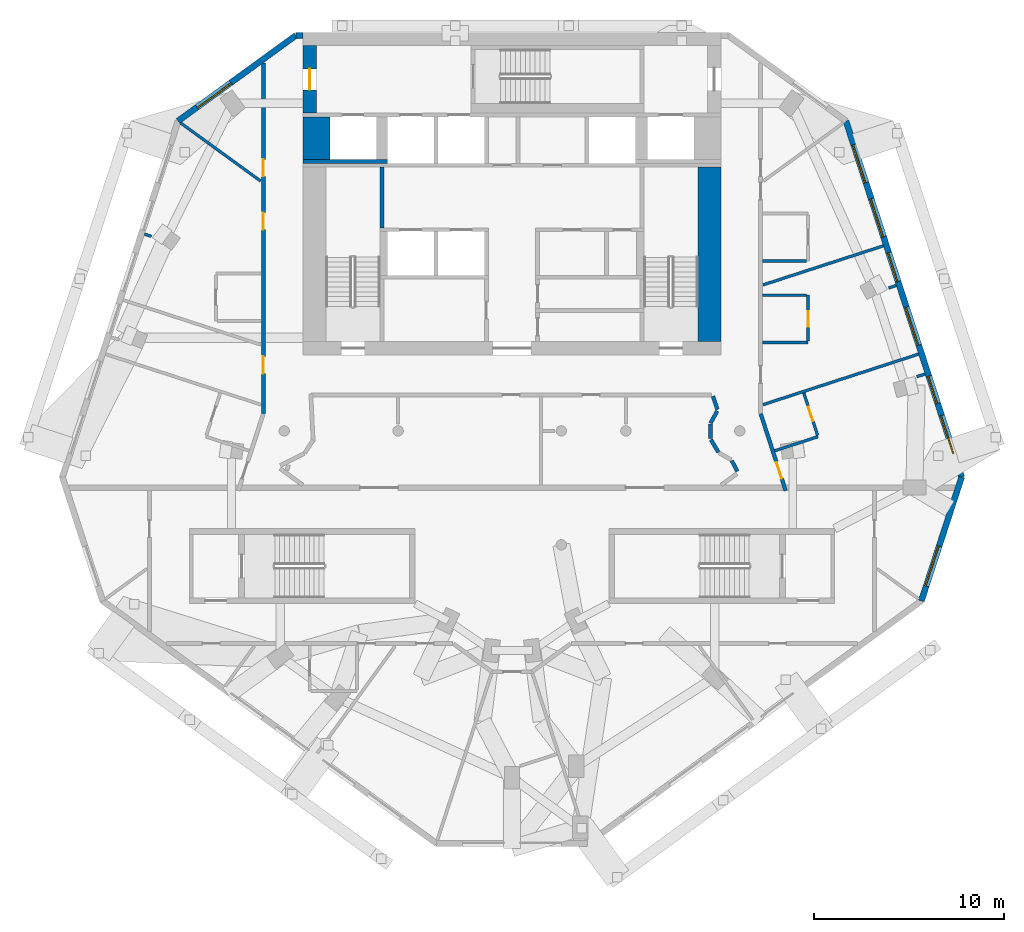
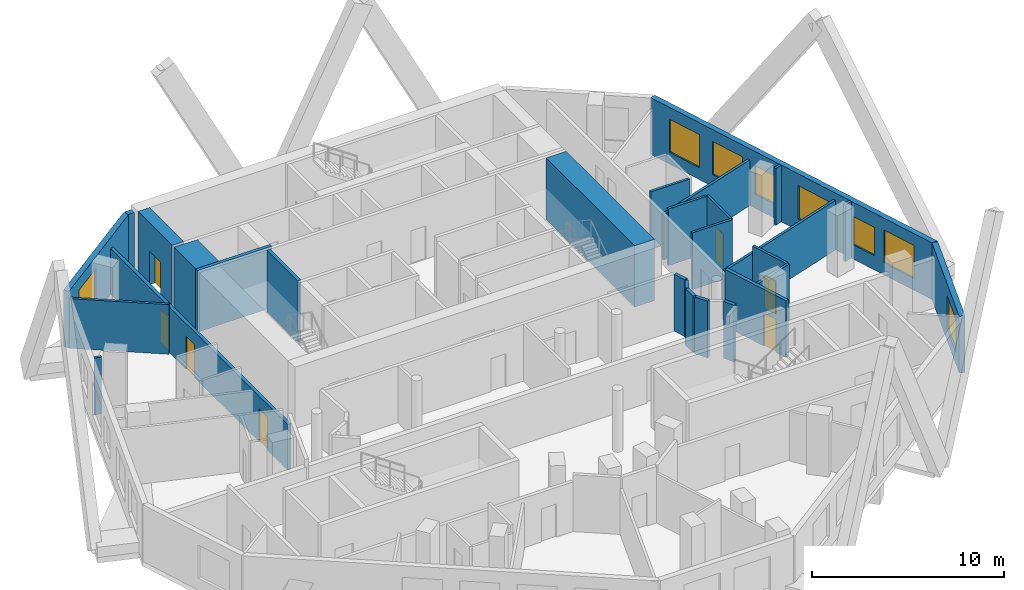
# One storey, part 6 of 10: 28 walls, 8 windows, 7 doors, 15 openings.
"""IFC4 building model written with IfcOpenShell, lengths in metres."""

from ifc_helpers import new_model, si_unit, direction, frame, frame_2d, origin, place, context, subcontext, project, spatial, rectangle, extrude, material, layer, layer_set, type_object, element, fill, save


model = new_model("IFC4")

# Units and contexts
model_context = context("Model", 3, precision=1e-05, world=origin(), true_north=direction((0.0, 1.0)))
body_context = subcontext(model_context, "Body", "Model", "MODEL_VIEW")
ifc_project = project(units=[si_unit("LENGTHUNIT", "METRE"), si_unit("AREAUNIT", "SQUARE_METRE"), si_unit("VOLUMEUNIT", "CUBIC_METRE"), si_unit("PLANEANGLEUNIT", "RADIAN"), si_unit("MASSUNIT", "GRAM", prefix="KILO")], contexts=[model_context])

# Site, building, storey
site_placement = place(None, origin())
site = spatial("IfcSite", under=ifc_project, at=site_placement, CompositionType="ELEMENT")
building_placement = place(site_placement, origin())
building = spatial("IfcBuilding", under=site, at=building_placement, Name="White Candle Pilgrim Tower", CompositionType="ELEMENT")
storey_placement = place(building_placement, frame((0.0, 0.0, 248.300048828125)))
storey = spatial("IfcBuildingStorey", under=building, at=storey_placement, Name="L58", CompositionType="ELEMENT", Elevation=248.300048828125)

# Walls
ifc_material_1 = material(Name="Concrete C50/60", Category="concrete")
ifc_layer_1 = layer(ifc_material_1, 1.39990234375)
ifc_layer_set_1 = layer_set([ifc_layer_1], Name="Core wall 1400 mm Concrete C50/60")
wall_type_1 = type_object("IfcWallType", Name="Core wall 1400 mm Concrete C50/60", PredefinedType="SHEAR", material=ifc_layer_set_1)
wall_1_placement = place(storey_placement, frame((59.699951171875, 81.300048828125, 0.0), z_axis=(0.0, 0.0, 1.0), x_axis=(0.0, 1.0, 0.0)))
element("IfcWall", 1, at=wall_1_placement, inside=storey, type_object=wall_type_1, Name="WL-L58-C40", PredefinedType="SHEAR", context=body_context, shape_type="SweptSolid", body=[
    extrude(rectangle(XDim=2.25, YDim=1.39990234375, at=frame_2d((1.125, 0.0))), origin(), (0.0, 0.0, 1.0), 3.89990234375),
])
ifc_layer_2 = layer(ifc_material_1, 0.199951171875)
ifc_layer_set_2 = layer_set([ifc_layer_2], Name="Core wall 200 mm Concrete C50/60")
wall_type_2 = type_object("IfcWallType", Name="Core wall 200 mm Concrete C50/60", PredefinedType="SHEAR", material=ifc_layer_set_2)
wall_2_placement = place(storey_placement, frame((59.0, 81.199951171875, 0.0), z_axis=(0.0, 0.0, 1.0), x_axis=(1.0, 0.0, 0.0)))
element("IfcWall", 2, at=wall_2_placement, inside=storey, type_object=wall_type_2, Name="WL-L58-C34", PredefinedType="SHEAR", context=body_context, shape_type="SweptSolid", body=[
    extrude(rectangle(XDim=4.449951171875, YDim=0.199951171875, at=frame_2d((2.22509765625, 0.0))), origin(), (0.0, 0.0, 1.0), 3.89990234375),
])

# Wall, opening, door
ifc_layer_3 = layer(ifc_material_1, 0.699951171875)
ifc_layer_set_3 = layer_set([ifc_layer_3], Name="Core wall 700 mm Concrete C50/60")
wall_type_3 = type_object("IfcWallType", Name="Core wall 700 mm Concrete C50/60", PredefinedType="SHEAR", material=ifc_layer_set_3)
wall_3_placement = place(storey_placement, frame((59.35009765625, 83.75, 0.0), z_axis=(0.0, 0.0, 1.0), x_axis=(0.0, 1.0, 0.0)))
wall_3 = element("IfcWall", 3, at=wall_3_placement, inside=storey, type_object=wall_type_3, Name="WL-L58-C45", PredefinedType="SHEAR", context=body_context, shape_type="SweptSolid", body=[
    extrude(rectangle(XDim=3.550048828125, YDim=0.699951171875, at=frame_2d((1.77490234375, 0.0))), origin(), (0.0, 0.0, 1.0), 3.89990234375),
])
opening_1_placement = place(wall_3_placement, frame((1.22509765625, 0.0, 0.0)))
opening_1 = element("IfcOpeningElement", 4, at=opening_1_placement, cuts=wall_3, Name="Opening T18-008", PredefinedType="OPENING", context=body_context, shape_type="SweptSolid", body=[
    extrude(rectangle(XDim=1.10009765625, YDim=2.10009765625, at=frame_2d((0.550048828125, 1.050048828125))), frame((0.0, 0.35986328125, 0.0), z_axis=(0.0, -1.0, 0.0), x_axis=(1.0, 0.0, 0.0)), (0.0, 0.0, 1.0), 0.719970703125),
])
ifc_material_2 = material(Name="Steel door leaf", Category="steel")
door_type_1 = type_object("IfcDoorType", Name="Fire door 1100 x 2100 EI 60", OperationType="NOTDEFINED", PredefinedType="DOOR", material=ifc_material_2)
door_1_placement = place(opening_1_placement, origin())
door_1 = element("IfcDoor", 5, at=door_1_placement, inside=storey, type_object=door_type_1, Name="Door T18-008", OperationType="SINGLE_SWING_RIGHT", OverallHeight=2.10009765625, OverallWidth=1.10009765625, PredefinedType="DOOR", context=body_context, shape_type="SweptSolid", body=[
    extrude(rectangle(XDim=1.10009765625, YDim=2.10009765625, at=frame_2d((0.550048828125, 1.050048828125))), frame((0.0, 0.02490234375, 0.0), z_axis=(0.0, -1.0, 0.0), x_axis=(1.0, 0.0, 0.0)), (0.0, 0.0, 1.0), 0.050048828125),
])
fill(opening_1, door_1)

# Wall, openings, doors
ifc_material_3 = material(Name="Gypsum board on steel studs", Category="steel")
ifc_layer_4 = layer(ifc_material_3, 0.199951171875)
ifc_layer_set_4 = layer_set([ifc_layer_4], Name="Corridor wall 200 mm EI 45")
wall_type_4 = type_object("IfcWallType", Name="Corridor wall 200 mm EI 45", PredefinedType="PARTITIONING", material=ifc_layer_set_4)
wall_4_placement = place(storey_placement, frame((56.89990234375, 67.928466796875, 0.0), z_axis=(0.0, 0.0, 1.0), x_axis=(0.0, 1.0, 0.0)))
wall_4 = element("IfcWall", 6, at=wall_4_placement, inside=storey, type_object=wall_type_4, Name="WL-L58-P003", PredefinedType="PARTITIONING", context=body_context, shape_type="SweptSolid", body=[
    extrude(rectangle(XDim=18.4677734375, YDim=0.199951171875, at=frame_2d((9.23388671875, 0.0))), origin(), (0.0, 0.0, 1.0), 2.89990234375),
])
opening_2_placement = place(wall_4_placement, frame((2.0947265625, 0.0, 0.0)))
opening_2 = element("IfcOpeningElement", 7, at=opening_2_placement, cuts=wall_4, Name="Opening T18-118", PredefinedType="OPENING", context=body_context, shape_type="SweptSolid", body=[
    extrude(rectangle(XDim=0.89990234375, YDim=2.10009765625, at=frame_2d((0.449951171875, 1.050048828125))), frame((0.0, 0.10986328125, 0.0), z_axis=(0.0, -1.0, 0.0), x_axis=(1.0, 0.0, 0.0)), (0.0, 0.0, 1.0), 0.219970703125),
])
opening_3_placement = place(wall_4_placement, frame((9.6767578125, 0.0, 0.0)))
opening_3 = element("IfcOpeningElement", 8, at=opening_3_placement, cuts=wall_4, Name="Opening T18-119", PredefinedType="OPENING", context=body_context, shape_type="SweptSolid", body=[
    extrude(rectangle(XDim=0.89990234375, YDim=2.10009765625, at=frame_2d((0.449951171875, 1.050048828125))), frame((0.0, 0.10986328125, 0.0), z_axis=(0.0, -1.0, 0.0), x_axis=(1.0, 0.0, 0.0)), (0.0, 0.0, 1.0), 0.219970703125),
])
opening_4_placement = place(wall_4_placement, frame((12.4775390625, 0.0, 0.0)))
opening_4 = element("IfcOpeningElement", 9, at=opening_4_placement, cuts=wall_4, Name="Opening T18-120", PredefinedType="OPENING", context=body_context, shape_type="SweptSolid", body=[
    extrude(rectangle(XDim=0.89990234375, YDim=2.10009765625, at=frame_2d((0.449951171875, 1.050048828125))), frame((0.0, 0.10986328125, 0.0), z_axis=(0.0, -1.0, 0.0), x_axis=(1.0, 0.0, 0.0)), (0.0, 0.0, 1.0), 0.219970703125),
])
door_type_2 = type_object("IfcDoorType", Name="Fire door 900 x 2100 EI 30", OperationType="NOTDEFINED", PredefinedType="DOOR", material=ifc_material_2)
door_2_placement = place(opening_2_placement, origin())
door_2 = element("IfcDoor", 10, at=door_2_placement, inside=storey, type_object=door_type_2, Name="Door T18-118", OperationType="SINGLE_SWING_RIGHT", OverallHeight=2.10009765625, OverallWidth=0.89990234375, PredefinedType="DOOR", context=body_context, shape_type="SweptSolid", body=[
    extrude(rectangle(XDim=0.89990234375, YDim=2.10009765625, at=frame_2d((0.449951171875, 1.050048828125))), frame((0.0, 0.02490234375, 0.0), z_axis=(0.0, -1.0, 0.0), x_axis=(1.0, 0.0, 0.0)), (0.0, 0.0, 1.0), 0.050048828125),
])
fill(opening_2, door_2)
door_3_placement = place(opening_3_placement, origin())
door_3 = element("IfcDoor", 11, at=door_3_placement, inside=storey, type_object=door_type_2, Name="Door T18-119", OperationType="SINGLE_SWING_LEFT", OverallHeight=2.10009765625, OverallWidth=0.89990234375, PredefinedType="DOOR", context=body_context, shape_type="SweptSolid", body=[
    extrude(rectangle(XDim=0.89990234375, YDim=2.10009765625, at=frame_2d((0.449951171875, 1.050048828125))), frame((0.0, 0.02490234375, 0.0), z_axis=(0.0, -1.0, 0.0), x_axis=(1.0, 0.0, 0.0)), (0.0, 0.0, 1.0), 0.050048828125),
])
fill(opening_3, door_3)
door_4_placement = place(opening_4_placement, origin())
door_4 = element("IfcDoor", 12, at=door_4_placement, inside=storey, type_object=door_type_2, Name="Door T18-120", OperationType="SINGLE_SWING_RIGHT", OverallHeight=2.10009765625, OverallWidth=0.89990234375, PredefinedType="DOOR", context=body_context, shape_type="SweptSolid", body=[
    extrude(rectangle(XDim=0.89990234375, YDim=2.10009765625, at=frame_2d((0.449951171875, 1.050048828125))), frame((0.0, 0.02490234375, 0.0), z_axis=(0.0, -1.0, 0.0), x_axis=(1.0, 0.0, 0.0)), (0.0, 0.0, 1.0), 0.050048828125),
])
fill(opening_4, door_4)

# Wall, opening, door
wall_5_placement = place(storey_placement, frame((83.10498046875, 67.8974609375, 0.0), z_axis=(0.0, 0.0, 1.0), x_axis=(0.308990077211, -0.951065261791, 0.0)))
wall_5 = element("IfcWall", 13, at=wall_5_placement, inside=storey, type_object=wall_type_4, Name="WL-L58-P005", PredefinedType="PARTITIONING", context=body_context, shape_type="SweptSolid", body=[
    extrude(rectangle(XDim=4.255615234375, YDim=0.199951171875, at=frame_2d((2.1279296875, 0.0))), origin(), (0.0, 0.0, 1.0), 3.599853515625),
])
opening_5_placement = place(wall_5_placement, frame((2.675537109375, 0.0, 0.0)))
opening_5 = element("IfcOpeningElement", 14, at=opening_5_placement, cuts=wall_5, Name="Opening T18-124", PredefinedType="OPENING", context=body_context, shape_type="SweptSolid", body=[
    extrude(rectangle(XDim=0.89990234375, YDim=2.10009765625, at=frame_2d((0.449951171875, 1.050048828125))), frame((0.0, 0.10986328125, 0.0), z_axis=(0.0, -1.0, 0.0), x_axis=(1.0, 0.0, 0.0)), (0.0, 0.0, 1.0), 0.219970703125),
])
door_5_placement = place(opening_5_placement, origin())
door_5 = element("IfcDoor", 15, at=door_5_placement, inside=storey, type_object=door_type_2, Name="Door T18-124", OperationType="SINGLE_SWING_RIGHT", OverallHeight=2.10009765625, OverallWidth=0.89990234375, PredefinedType="DOOR", context=body_context, shape_type="SweptSolid", body=[
    extrude(rectangle(XDim=0.89990234375, YDim=2.10009765625, at=frame_2d((0.449951171875, 1.050048828125))), frame((0.0, 0.02490234375, 0.0), z_axis=(0.0, -1.0, 0.0), x_axis=(1.0, 0.0, 0.0)), (0.0, 0.0, 1.0), 0.050048828125),
])
fill(opening_5, door_5)

# Walls
wall_6_placement = place(storey_placement, frame((80.875, 65.87841796875, 0.0), z_axis=(0.0, 0.0, 1.0), x_axis=(-0.512310997374, 0.858800001147, 0.0)))
element("IfcWall", 16, at=wall_6_placement, inside=storey, type_object=wall_type_4, Name="WL-L58-P014", PredefinedType="PARTITIONING", context=body_context, shape_type="SweptSolid", body=[
    extrude(rectangle(XDim=0.77294921875, YDim=0.199951171875, at=frame_2d((0.386474609375, 0.0))), origin(), (0.0, 0.0, 1.0), 3.599853515625),
])
wall_7_placement = place(storey_placement, frame((80.46484375, 66.592041015625, 0.0), z_axis=(0.0, 0.0, 1.0), x_axis=(-0.014221064918, 0.999898875543, 0.0)))
element("IfcWall", 17, at=wall_7_placement, inside=storey, type_object=wall_type_4, Name="WL-L58-P015", PredefinedType="PARTITIONING", context=body_context, shape_type="SweptSolid", body=[
    extrude(rectangle(XDim=0.7724609375, YDim=0.199951171875, at=frame_2d((0.38623046875, 0.0))), origin(), (0.0, 0.0, 1.0), 3.599853515625),
])
wall_8_placement = place(storey_placement, frame((80.466064453125, 67.413818359375, 0.0), z_axis=(0.0, 0.0, 1.0), x_axis=(0.479205511967, 0.877702727181, 0.0)))
element("IfcWall", 18, at=wall_8_placement, inside=storey, type_object=wall_type_4, Name="WL-L58-P016", PredefinedType="PARTITIONING", context=body_context, shape_type="SweptSolid", body=[
    extrude(rectangle(XDim=0.72607421875, YDim=0.199951171875, at=frame_2d((0.363037109375, 0.0))), origin(), (0.0, 0.0, 1.0), 3.599853515625),
])
wall_9_placement = place(storey_placement, frame((80.8212890625, 68.1298828125, 0.0), z_axis=(0.0, 0.0, 1.0), x_axis=(-0.309063601395, 0.951041371494, 0.0)))
element("IfcWall", 19, at=wall_9_placement, inside=storey, type_object=wall_type_4, Name="WL-L58-P017", PredefinedType="PARTITIONING", context=body_context, shape_type="SweptSolid", body=[
    extrude(rectangle(XDim=0.737060546875, YDim=0.199951171875, at=frame_2d((0.36865234375, 0.0))), origin(), (0.0, 0.0, 1.0), 3.599853515625),
])
wall_10_placement = place(storey_placement, frame((81.868408203125, 64.865234375, 0.0), z_axis=(0.0, 0.0, 1.0), x_axis=(-0.451009131745, 0.892519334851, 0.0)))
element("IfcWall", 20, at=wall_10_placement, inside=storey, type_object=wall_type_4, Name="WL-L58-P024", PredefinedType="PARTITIONING", context=body_context, shape_type="SweptSolid", body=[
    extrude(rectangle(XDim=0.642578125, YDim=0.199951171875, at=frame_2d((0.3212890625, 0.0))), origin(), (0.0, 0.0, 1.0), 3.599853515625),
])

# Wall, opening, window
ifc_material_4 = material(Name="Precast concrete C40/50", Category="concrete")
ifc_layer_5 = layer(ifc_material_4, 0.320068359375)
ifc_layer_set_5 = layer_set([ifc_layer_5], Name="Facade wall EW1 precast concrete C40/50 pier wall with timber-lined reveals")
wall_type_5 = type_object("IfcWallType", Name="Facade wall EW1 precast concrete C40/50 pier wall with timber-lined reveals", PredefinedType="SOLIDWALL", material=ifc_layer_set_5)
wall_11_placement = place(storey_placement, frame((91.5703125, 58.040283203125, 0.0), z_axis=(0.0, 0.0, 1.0), x_axis=(0.309016913419, 0.951056542599, 0.0)))
wall_11 = element("IfcWall", 21, at=wall_11_placement, inside=storey, type_object=wall_type_5, Name="Facade wall L58 E chamfer", PredefinedType="SOLIDWALL", context=body_context, shape_type="SweptSolid", body=[
    extrude(rectangle(XDim=6.86474609375, YDim=0.320068359375, at=frame_2d((3.432373046875, 0.0))), origin(), (0.0, 0.0, 1.0), 3.599853515625),
])
opening_6_placement = place(wall_11_placement, frame((0.83251953125, 0.0, 0.75)))
opening_6 = element("IfcOpeningElement", 22, at=opening_6_placement, cuts=wall_11, Name="Opening W4", PredefinedType="OPENING", context=body_context, shape_type="SweptSolid", body=[
    extrude(rectangle(XDim=2.199951171875, YDim=2.10009765625, at=frame_2d((1.10009765625, 1.050048828125))), frame((0.0, 0.169921875, 0.0), z_axis=(0.0, -1.0, 0.0), x_axis=(1.0, 0.0, 0.0)), (0.0, 0.0, 1.0), 0.340087890625),
])
ifc_material_5 = material(Name="Timber frame with triple glazing", Category="wood")
window_type_1 = type_object("IfcWindowType", Name="Window W4 2200x2100 timber frame triple glazing", PartitioningType="SINGLE_PANEL", PredefinedType="WINDOW", material=ifc_material_5)
window_1_placement = place(opening_6_placement, origin())
window_1 = element("IfcWindow", 23, at=window_1_placement, inside=storey, type_object=window_type_1, Name="Window W4 L58 E chamfer 1", OverallHeight=2.10009765625, OverallWidth=2.199951171875, PartitioningType="SINGLE_PANEL", PredefinedType="WINDOW", context=body_context, shape_type="SweptSolid", body=[
    extrude(rectangle(XDim=2.199951171875, YDim=2.10009765625, at=frame_2d((1.10009765625, 1.050048828125))), frame((0.0, 0.070068359375, 0.0), z_axis=(0.0, -1.0, 0.0), x_axis=(1.0, 0.0, 0.0)), (0.0, 0.0, 1.0), 0.06005859375),
])
fill(opening_6, window_1)

# Wall, openings, windows
wall_12_placement = place(storey_placement, frame((93.691650390625, 64.569091796875, 0.0), z_axis=(0.0, 0.0, 1.0), x_axis=(-0.309025614403, 0.951053715435, 0.0)))
wall_12 = element("IfcWall", 24, at=wall_12_placement, inside=storey, type_object=wall_type_5, Name="Facade wall L58 ENE", PredefinedType="SOLIDWALL", context=body_context, shape_type="SweptSolid", body=[
    extrude(rectangle(XDim=19.72314453125, YDim=0.320068359375, at=frame_2d((9.861572265625, 0.0))), origin(), (0.0, 0.0, 1.0), 3.599853515625),
])
opening_7_placement = place(wall_12_placement, frame((1.3115234375, 0.0, 0.75)))
opening_7 = element("IfcOpeningElement", 25, at=opening_7_placement, cuts=wall_12, Name="Opening W3", PredefinedType="OPENING", context=body_context, shape_type="SweptSolid", body=[
    extrude(rectangle(XDim=2.10009765625, YDim=2.10009765625, at=frame_2d((1.050048828125, 1.050048828125))), frame((0.0, 0.169921875, 0.0), z_axis=(0.0, -1.0, 0.0), x_axis=(1.0, 0.0, 0.0)), (0.0, 0.0, 1.0), 0.340087890625),
])
opening_8_placement = place(wall_12_placement, frame((4.08349609375, 0.0, 0.89990234375)))
opening_8 = element("IfcOpeningElement", 26, at=opening_8_placement, cuts=wall_12, Name="Opening W1", PredefinedType="OPENING", context=body_context, shape_type="SweptSolid", body=[
    extrude(rectangle(XDim=1.5, YDim=1.800048828125, at=frame_2d((0.75, 0.89990234375))), frame((0.0, 0.169921875, 0.0), z_axis=(0.0, -1.0, 0.0), x_axis=(1.0, 0.0, 0.0)), (0.0, 0.0, 1.0), 0.340087890625),
])
opening_9_placement = place(wall_12_placement, frame((7.3115234375, 0.0, 0.75)))
opening_9 = element("IfcOpeningElement", 27, at=opening_9_placement, cuts=wall_12, Name="Opening W3", PredefinedType="OPENING", context=body_context, shape_type="SweptSolid", body=[
    extrude(rectangle(XDim=2.10009765625, YDim=2.10009765625, at=frame_2d((1.050048828125, 1.050048828125))), frame((0.0, 0.169921875, 0.0), z_axis=(0.0, -1.0, 0.0), x_axis=(1.0, 0.0, 0.0)), (0.0, 0.0, 1.0), 0.340087890625),
])
opening_10_placement = place(wall_12_placement, frame((10.835693359375, 0.0, 0.89990234375)))
opening_10 = element("IfcOpeningElement", 28, at=opening_10_placement, cuts=wall_12, Name="Opening W2", PredefinedType="OPENING", context=body_context, shape_type="SweptSolid", body=[
    extrude(rectangle(XDim=1.60009765625, YDim=1.800048828125, at=frame_2d((0.800048828125, 0.89990234375))), frame((0.0, 0.169921875, 0.0), z_axis=(0.0, -1.0, 0.0), x_axis=(1.0, 0.0, 0.0)), (0.0, 0.0, 1.0), 0.340087890625),
])
opening_11_placement = place(wall_12_placement, frame((13.3115234375, 0.0, 0.75)))
opening_11 = element("IfcOpeningElement", 29, at=opening_11_placement, cuts=wall_12, Name="Opening W3", PredefinedType="OPENING", context=body_context, shape_type="SweptSolid", body=[
    extrude(rectangle(XDim=2.10009765625, YDim=2.10009765625, at=frame_2d((1.050048828125, 1.050048828125))), frame((0.0, 0.169921875, 0.0), z_axis=(0.0, -1.0, 0.0), x_axis=(1.0, 0.0, 0.0)), (0.0, 0.0, 1.0), 0.340087890625),
])
opening_12_placement = place(wall_12_placement, frame((16.3115234375, 0.0, 0.75)))
opening_12 = element("IfcOpeningElement", 30, at=opening_12_placement, cuts=wall_12, Name="Opening W3", PredefinedType="OPENING", context=body_context, shape_type="SweptSolid", body=[
    extrude(rectangle(XDim=2.10009765625, YDim=2.10009765625, at=frame_2d((1.050048828125, 1.050048828125))), frame((0.0, 0.169921875, 0.0), z_axis=(0.0, -1.0, 0.0), x_axis=(1.0, 0.0, 0.0)), (0.0, 0.0, 1.0), 0.340087890625),
])
window_type_2 = type_object("IfcWindowType", Name="Window W1 1500x1800 timber frame triple glazing", PartitioningType="SINGLE_PANEL", PredefinedType="WINDOW", material=ifc_material_5)
window_2_placement = place(opening_8_placement, origin())
window_2 = element("IfcWindow", 31, at=window_2_placement, inside=storey, type_object=window_type_2, Name="Window W1 L58 ENE 2", OverallHeight=1.800048828125, OverallWidth=1.5, PartitioningType="SINGLE_PANEL", PredefinedType="WINDOW", context=body_context, shape_type="SweptSolid", body=[
    extrude(rectangle(XDim=1.5, YDim=1.800048828125, at=frame_2d((0.75, 0.89990234375))), frame((0.0, 0.070068359375, 0.0), z_axis=(0.0, -1.0, 0.0), x_axis=(1.0, 0.0, 0.0)), (0.0, 0.0, 1.0), 0.06005859375),
])
fill(opening_8, window_2)
window_type_3 = type_object("IfcWindowType", Name="Window W2 1600x1800 timber frame triple glazing", PartitioningType="SINGLE_PANEL", PredefinedType="WINDOW", material=ifc_material_5)
window_3_placement = place(opening_10_placement, origin())
window_3 = element("IfcWindow", 32, at=window_3_placement, inside=storey, type_object=window_type_3, Name="Window W2 L58 ENE 4", OverallHeight=1.800048828125, OverallWidth=1.60009765625, PartitioningType="SINGLE_PANEL", PredefinedType="WINDOW", context=body_context, shape_type="SweptSolid", body=[
    extrude(rectangle(XDim=1.60009765625, YDim=1.800048828125, at=frame_2d((0.800048828125, 0.89990234375))), frame((0.0, 0.070068359375, 0.0), z_axis=(0.0, -1.0, 0.0), x_axis=(1.0, 0.0, 0.0)), (0.0, 0.0, 1.0), 0.06005859375),
])
fill(opening_10, window_3)
window_type_4 = type_object("IfcWindowType", Name="Window W3 2100x2100 timber frame triple glazing", PartitioningType="SINGLE_PANEL", PredefinedType="WINDOW", material=ifc_material_5)
window_4_placement = place(opening_7_placement, origin())
window_4 = element("IfcWindow", 33, at=window_4_placement, inside=storey, type_object=window_type_4, Name="Window W3 L58 ENE 1", OverallHeight=2.10009765625, OverallWidth=2.10009765625, PartitioningType="SINGLE_PANEL", PredefinedType="WINDOW", context=body_context, shape_type="SweptSolid", body=[
    extrude(rectangle(XDim=2.10009765625, YDim=2.10009765625, at=frame_2d((1.050048828125, 1.050048828125))), frame((0.0, 0.070068359375, 0.0), z_axis=(0.0, -1.0, 0.0), x_axis=(1.0, 0.0, 0.0)), (0.0, 0.0, 1.0), 0.06005859375),
])
fill(opening_7, window_4)
window_5_placement = place(opening_9_placement, origin())
window_5 = element("IfcWindow", 34, at=window_5_placement, inside=storey, type_object=window_type_4, Name="Window W3 L58 ENE 3", OverallHeight=2.10009765625, OverallWidth=2.10009765625, PartitioningType="SINGLE_PANEL", PredefinedType="WINDOW", context=body_context, shape_type="SweptSolid", body=[
    extrude(rectangle(XDim=2.10009765625, YDim=2.10009765625, at=frame_2d((1.050048828125, 1.050048828125))), frame((0.0, 0.070068359375, 0.0), z_axis=(0.0, -1.0, 0.0), x_axis=(1.0, 0.0, 0.0)), (0.0, 0.0, 1.0), 0.06005859375),
])
fill(opening_9, window_5)
window_6_placement = place(opening_11_placement, origin())
window_6 = element("IfcWindow", 35, at=window_6_placement, inside=storey, type_object=window_type_4, Name="Window W3 L58 ENE 5", OverallHeight=2.10009765625, OverallWidth=2.10009765625, PartitioningType="SINGLE_PANEL", PredefinedType="WINDOW", context=body_context, shape_type="SweptSolid", body=[
    extrude(rectangle(XDim=2.10009765625, YDim=2.10009765625, at=frame_2d((1.050048828125, 1.050048828125))), frame((0.0, 0.070068359375, 0.0), z_axis=(0.0, -1.0, 0.0), x_axis=(1.0, 0.0, 0.0)), (0.0, 0.0, 1.0), 0.06005859375),
])
fill(opening_11, window_6)
window_7_placement = place(opening_12_placement, origin())
window_7 = element("IfcWindow", 36, at=window_7_placement, inside=storey, type_object=window_type_4, Name="Window W3 L58 ENE 6", OverallHeight=2.10009765625, OverallWidth=2.10009765625, PartitioningType="SINGLE_PANEL", PredefinedType="WINDOW", context=body_context, shape_type="SweptSolid", body=[
    extrude(rectangle(XDim=2.10009765625, YDim=2.10009765625, at=frame_2d((1.050048828125, 1.050048828125))), frame((0.0, 0.070068359375, 0.0), z_axis=(0.0, -1.0, 0.0), x_axis=(1.0, 0.0, 0.0)), (0.0, 0.0, 1.0), 0.06005859375),
])
fill(opening_12, window_7)

# Wall
wall_13_placement = place(storey_placement, frame((59.0, 87.840087890625, 0.0), z_axis=(0.0, 0.0, 1.0), x_axis=(-1.0, 0.0, 0.0)))
element("IfcWall", 37, at=wall_13_placement, inside=storey, type_object=wall_type_5, Name="Facade wall L58 N", PredefinedType="SOLIDWALL", context=body_context, shape_type="SweptSolid", body=[
    extrude(rectangle(XDim=0.385009765625, YDim=0.320068359375, at=frame_2d((0.1923828125, 0.0))), origin(), (0.0, 0.0, 1.0), 3.599853515625),
])

# Wall, opening, window
wall_14_placement = place(storey_placement, frame((58.614990234375, 87.840087890625, 0.0), z_axis=(0.0, 0.0, 1.0), x_axis=(-0.809008247786, -0.587797290751, 0.0)))
wall_14 = element("IfcWall", 38, at=wall_14_placement, inside=storey, type_object=wall_type_5, Name="Facade wall L58 NW chamfer", PredefinedType="SOLIDWALL", context=body_context, shape_type="SweptSolid", body=[
    extrude(rectangle(XDim=7.67822265625, YDim=0.320068359375, at=frame_2d((3.839111328125, 0.0))), origin(), (0.0, 0.0, 1.0), 3.599853515625),
])
opening_13_placement = place(wall_14_placement, frame((4.239013671875, 0.0, 0.75)))
opening_13 = element("IfcOpeningElement", 39, at=opening_13_placement, cuts=wall_14, Name="Opening W4", PredefinedType="OPENING", context=body_context, shape_type="SweptSolid", body=[
    extrude(rectangle(XDim=2.199951171875, YDim=2.10009765625, at=frame_2d((1.10009765625, 1.050048828125))), frame((0.0, 0.169921875, 0.0), z_axis=(0.0, -1.0, 0.0), x_axis=(1.0, 0.0, 0.0)), (0.0, 0.0, 1.0), 0.340087890625),
])
window_8_placement = place(opening_13_placement, origin())
window_8 = element("IfcWindow", 40, at=window_8_placement, inside=storey, type_object=window_type_1, Name="Window W4 L58 NW chamfer 2", OverallHeight=2.10009765625, OverallWidth=2.199951171875, PartitioningType="SINGLE_PANEL", PredefinedType="WINDOW", context=body_context, shape_type="SweptSolid", body=[
    extrude(rectangle(XDim=2.199951171875, YDim=2.10009765625, at=frame_2d((1.10009765625, 1.050048828125))), frame((0.0, 0.070068359375, 0.0), z_axis=(0.0, -1.0, 0.0), x_axis=(1.0, 0.0, 0.0)), (0.0, 0.0, 1.0), 0.06005859375),
])
fill(opening_13, window_8)

# Walls
ifc_layer_6 = layer(ifc_material_3, 0.14990234375)
ifc_layer_set_6 = layer_set([ifc_layer_6], Name="Partition 150 mm EI 60")
wall_type_6 = type_object("IfcWallType", Name="Partition 150 mm EI 60", PredefinedType="PARTITIONING", material=ifc_layer_set_6)
wall_15_placement = place(storey_placement, frame((52.539306640625, 83.22802734375, 0.0), z_axis=(0.0, 0.0, 1.0), x_axis=(0.809019578294, -0.587781695816, 0.0)))
element("IfcWall", 41, at=wall_15_placement, inside=storey, type_object=wall_type_6, Name="WL-L58-P025", PredefinedType="PARTITIONING", context=body_context, shape_type="SweptSolid", body=[
    extrude(rectangle(XDim=5.2119140625, YDim=0.14990234375, at=frame_2d((2.60595703125, 0.0))), origin(), (0.0, 0.0, 1.0), 3.14990234375),
])
wall_16_placement = place(storey_placement, frame((91.4189453125, 71.04541015625, 0.0), z_axis=(0.0, 0.0, 1.0), x_axis=(-0.951052804469, -0.309028417967, 0.0)))
element("IfcWall", 42, at=wall_16_placement, inside=storey, type_object=wall_type_6, Name="WL-L58-P044", PredefinedType="PARTITIONING", context=body_context, shape_type="SweptSolid", body=[
    extrude(rectangle(XDim=8.61767578125, YDim=0.14990234375, at=frame_2d((4.308837890625, 0.0))), origin(), (0.0, 0.0, 1.0), 3.14990234375),
])
wall_17_placement = place(storey_placement, frame((89.56494140625, 76.751708984375, 0.0), z_axis=(0.0, 0.0, 1.0), x_axis=(-0.951057743275, -0.309013218095, 0.0)))
element("IfcWall", 43, at=wall_17_placement, inside=storey, type_object=wall_type_6, Name="WL-L58-P045", PredefinedType="PARTITIONING", context=body_context, shape_type="SweptSolid", body=[
    extrude(rectangle(XDim=6.668212890625, YDim=0.14990234375, at=frame_2d((3.333984375, 0.0))), origin(), (0.0, 0.0, 1.0), 2.89990234375),
])
wall_18_placement = place(storey_placement, frame((83.84130859375, 65.95458984375, 0.0), z_axis=(0.0, 0.0, 1.0), x_axis=(0.951046776628, 0.309046968381, 0.0)))
element("IfcWall", 44, at=wall_18_placement, inside=storey, type_object=wall_type_6, Name="WL-L58-P046", PredefinedType="PARTITIONING", context=body_context, shape_type="SweptSolid", body=[
    extrude(rectangle(XDim=2.39990234375, YDim=0.14990234375, at=frame_2d((1.199951171875, 0.0))), origin(), (0.0, 0.0, 1.0), 3.599853515625),
])

# Wall, opening, door
wall_19_placement = place(storey_placement, frame((85.37451171875, 69.002685546875, 0.0), z_axis=(0.0, 0.0, 1.0), x_axis=(0.308956872689, -0.951076048914, 0.0)))
wall_19 = element("IfcWall", 45, at=wall_19_placement, inside=storey, type_object=wall_type_6, Name="WL-L58-P047", PredefinedType="PARTITIONING", context=body_context, shape_type="SweptSolid", body=[
    extrude(rectangle(XDim=2.35009765625, YDim=0.14990234375, at=frame_2d((1.175048828125, 0.0))), origin(), (0.0, 0.0, 1.0), 3.599853515625),
])
opening_14_placement = place(wall_19_placement, frame((0.77490234375, 0.0, 0.0)))
opening_14 = element("IfcOpeningElement", 46, at=opening_14_placement, cuts=wall_19, Name="Opening T18-112", PredefinedType="OPENING", context=body_context, shape_type="SweptSolid", body=[
    extrude(rectangle(XDim=0.800048828125, YDim=2.10009765625, at=frame_2d((0.39990234375, 1.050048828125))), frame((0.0, 0.0849609375, 0.0), z_axis=(0.0, -1.0, 0.0), x_axis=(1.0, 0.0, 0.0)), (0.0, 0.0, 1.0), 0.169921875),
])
door_type_3 = type_object("IfcDoorType", Name="Fire door 800 x 2100 EI 30", OperationType="NOTDEFINED", PredefinedType="DOOR", material=ifc_material_2)
door_6_placement = place(opening_14_placement, origin())
door_6 = element("IfcDoor", 47, at=door_6_placement, inside=storey, type_object=door_type_3, Name="Door T18-112", OperationType="SINGLE_SWING_RIGHT", OverallHeight=2.10009765625, OverallWidth=0.800048828125, PredefinedType="DOOR", context=body_context, shape_type="SweptSolid", body=[
    extrude(rectangle(XDim=0.800048828125, YDim=2.10009765625, at=frame_2d((0.39990234375, 1.050048828125))), frame((0.0, 0.02490234375, 0.0), z_axis=(0.0, -1.0, 0.0), x_axis=(1.0, 0.0, 0.0)), (0.0, 0.0, 1.0), 0.050048828125),
])
fill(opening_14, door_6)

# Wall
wall_20_placement = place(storey_placement, frame((83.199951171875, 71.651123046875, 0.0), z_axis=(0.0, 0.0, 1.0), x_axis=(1.0, 0.0, 0.0)))
element("IfcWall", 48, at=wall_20_placement, inside=storey, type_object=wall_type_6, Name="WL-L58-P048", PredefinedType="PARTITIONING", context=body_context, shape_type="SweptSolid", body=[
    extrude(rectangle(XDim=2.400146484375, YDim=0.14990234375, at=frame_2d((1.2001953125, 0.0))), origin(), (0.0, 0.0, 1.0), 3.599853515625),
])

# Wall, opening, door
wall_21_placement = place(storey_placement, frame((85.60009765625, 74.151123046875, 0.0), z_axis=(0.0, 0.0, 1.0), x_axis=(0.0, -1.0, 0.0)))
wall_21 = element("IfcWall", 49, at=wall_21_placement, inside=storey, type_object=wall_type_6, Name="WL-L58-P049", PredefinedType="PARTITIONING", context=body_context, shape_type="SweptSolid", body=[
    extrude(rectangle(XDim=2.4248046875, YDim=0.14990234375, at=frame_2d((1.21240234375, 0.0))), origin(), (0.0, 0.0, 1.0), 3.599853515625),
])
opening_15_placement = place(wall_21_placement, frame((0.85009765625, 0.0, 0.0)))
opening_15 = element("IfcOpeningElement", 50, at=opening_15_placement, cuts=wall_21, Name="Opening T18-113", PredefinedType="OPENING", context=body_context, shape_type="SweptSolid", body=[
    extrude(rectangle(XDim=0.800048828125, YDim=2.10009765625, at=frame_2d((0.39990234375, 1.050048828125))), frame((0.0, 0.0849609375, 0.0), z_axis=(0.0, -1.0, 0.0), x_axis=(1.0, 0.0, 0.0)), (0.0, 0.0, 1.0), 0.169921875),
])
door_7_placement = place(opening_15_placement, origin())
door_7 = element("IfcDoor", 51, at=door_7_placement, inside=storey, type_object=door_type_3, Name="Door T18-113", OperationType="SINGLE_SWING_LEFT", OverallHeight=2.10009765625, OverallWidth=0.800048828125, PredefinedType="DOOR", context=body_context, shape_type="SweptSolid", body=[
    extrude(rectangle(XDim=0.800048828125, YDim=2.10009765625, at=frame_2d((0.39990234375, 1.050048828125))), frame((0.0, 0.02490234375, 0.0), z_axis=(0.0, -1.0, 0.0), x_axis=(1.0, 0.0, 0.0)), (0.0, 0.0, 1.0), 0.050048828125),
])
fill(opening_15, door_7)

# Walls
for number, where, z_axis, x_axis, name in (
    (52, (83.199951171875, 74.151123046875, 0.0), (0.0, 0.0, 1.0), (1.0, 0.0, 0.0), "WL-L58-P050"),
    (53, (83.199951171875, 75.951171875, 0.0), (0.0, 0.0, 1.0), (1.0, 0.0, 0.0), "WL-L58-P053"),
):
    element("IfcWall", number, at=place(storey_placement, frame(where, z_axis=z_axis, x_axis=x_axis)), inside=storey, type_object=wall_type_6, Name=name, PredefinedType="PARTITIONING", context=body_context, shape_type="SweptSolid", body=[
        extrude(rectangle(XDim=2.324951171875, YDim=0.14990234375, at=frame_2d((1.16259765625, 0.0))), origin(), (0.0, 0.0, 1.0), 3.599853515625),
    ])
wall_22_placement = place(storey_placement, frame((91.327392578125, 69.855712890625, 0.0), z_axis=(0.0, 0.0, 1.0), x_axis=(0.951018291355, 0.309134613894, 0.0)))
element("IfcWall", 54, at=wall_22_placement, inside=storey, type_object=wall_type_6, Name="WL-L58-P057", PredefinedType="PARTITIONING", context=body_context, shape_type="SweptSolid", body=[
    extrude(rectangle(XDim=0.454833984375, YDim=0.14990234375, at=frame_2d((0.2275390625, 0.0))), origin(), (0.0, 0.0, 1.0), 3.599853515625),
])
wall_23_placement = place(storey_placement, frame((89.844482421875, 74.528564453125, 0.0), z_axis=(0.0, 0.0, 1.0), x_axis=(0.951089423104, 0.308915699277, 0.0)))
element("IfcWall", 55, at=wall_23_placement, inside=storey, type_object=wall_type_6, Name="WL-L58-P058", PredefinedType="PARTITIONING", context=body_context, shape_type="SweptSolid", body=[
    extrude(rectangle(XDim=0.421142578125, YDim=0.14990234375, at=frame_2d((0.21044921875, 0.0))), origin(), (0.0, 0.0, 1.0), 3.599853515625),
])
wall_24_placement = place(storey_placement, frame((51.00439453125, 77.24755859375, 0.0), z_axis=(0.0, 0.0, 1.0), x_axis=(-0.951167956865, 0.308673804904, 0.0)))
element("IfcWall", 56, at=wall_24_placement, inside=storey, type_object=wall_type_6, Name="WL-L58-P059", PredefinedType="PARTITIONING", context=body_context, shape_type="SweptSolid", body=[
    extrude(rectangle(XDim=0.388427734375, YDim=0.14990234375, at=frame_2d((0.1943359375, 0.0))), origin(), (0.0, 0.0, 1.0), 3.599853515625),
])
ifc_layer_7 = layer(ifc_material_1, 1.199951171875)
ifc_layer_set_7 = layer_set([ifc_layer_7], Name="Stair shaft wall 1200 mm Concrete C50/60")
wall_type_7 = type_object("IfcWallType", Name="Stair shaft wall 1200 mm Concrete C50/60", PredefinedType="SHEAR", material=ifc_layer_set_7)
wall_25_placement = place(storey_placement, frame((80.39990234375, 71.699951171875, 0.0), z_axis=(0.0, 0.0, 1.0), x_axis=(0.0, 1.0, 0.0)))
element("IfcWall", 57, at=wall_25_placement, inside=storey, type_object=wall_type_7, Name="WL-L58-C17", PredefinedType="SHEAR", context=body_context, shape_type="SweptSolid", body=[
    extrude(rectangle(XDim=9.199951171875, YDim=1.199951171875, at=frame_2d((4.60009765625, 0.0))), origin(), (0.0, 0.0, 1.0), 3.89990234375),
])
ifc_layer_8 = layer(ifc_material_1, 0.199951171875)
ifc_layer_set_8 = layer_set([ifc_layer_8], Name="Stair shaft wall 200 mm Concrete C50/60")
wall_type_8 = type_object("IfcWallType", Name="Stair shaft wall 200 mm Concrete C50/60", PredefinedType="SHEAR", material=ifc_layer_set_8)
wall_26_placement = place(storey_placement, frame((63.14990234375, 77.699951171875, 0.0), z_axis=(0.0, 0.0, 1.0), x_axis=(0.0, 1.0, 0.0)))
element("IfcWall", 58, at=wall_26_placement, inside=storey, type_object=wall_type_8, Name="WL-L58-C31", PredefinedType="SHEAR", context=body_context, shape_type="SweptSolid", body=[
    extrude(rectangle(XDim=3.199951171875, YDim=0.199951171875, at=frame_2d((1.60009765625, 0.0))), origin(), (0.0, 0.0, 1.0), 3.89990234375),
])

save(model, "model.ifc")
